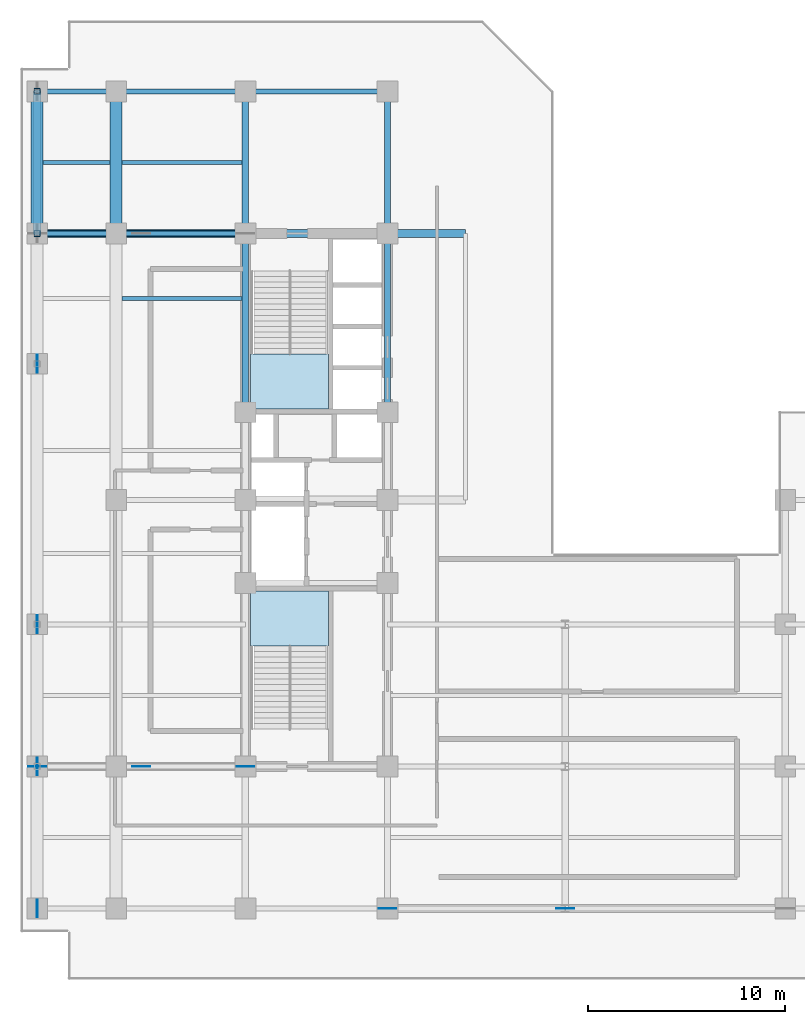
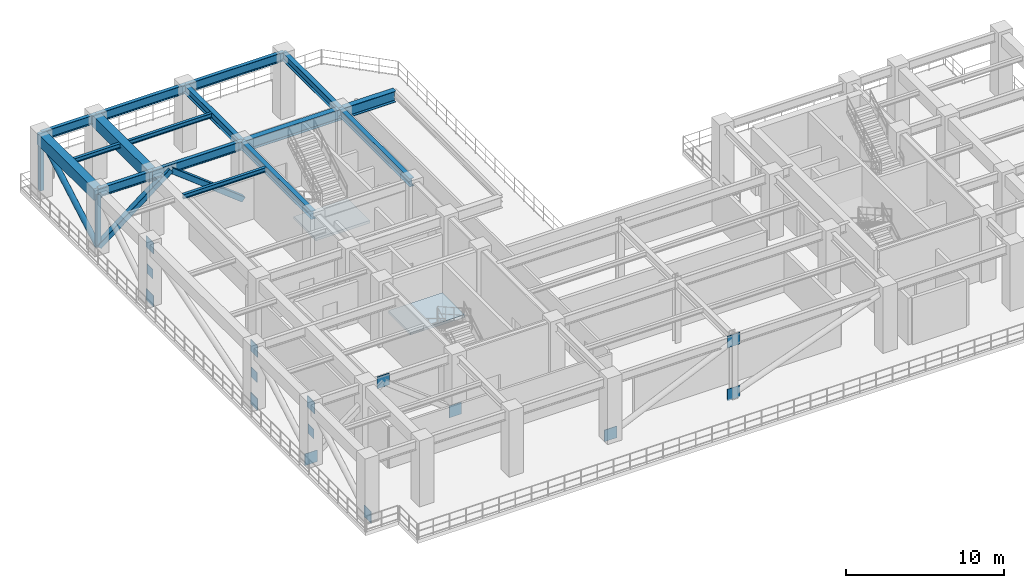
# One storey, part 4 of 16: 15 beams, 15 plates, 5 members, 2 slabs, 2 elements without a shape of their own.
"""IFC4 building model written with IfcOpenShell, lengths in metres."""

from ifc_helpers import new_model, entity, si_unit, converted_unit, direction, frame, origin_with_axes, origin_2d_with_axis, place, context, subcontext, project, spatial, polyline, rectangle, hollow_rectangle, hollow_circle, i_section, outline, extrude, material, layer, layer_set, material_profile, profile_set, type_object, element, aggregate, save


model = new_model("IFC4")

# Units and contexts
model_context = context("Model", 3, precision=1e-05, world=origin_with_axes(), true_north=direction((0.0, 1.0)))
body_context = subcontext(model_context, "Body", "Model", "MODEL_VIEW")
ifc_project = project(units=[si_unit("LENGTHUNIT", "METRE"), si_unit("AREAUNIT", "SQUARE_METRE"), si_unit("VOLUMEUNIT", "CUBIC_METRE"), converted_unit("PLANEANGLEUNIT", "DEGREE", entity("IfcPlaneAngleMeasure", 0.017453292519943295), si_unit("PLANEANGLEUNIT", "RADIAN"), dimensions=[0, 0, 0, 0, 0, 0, 0]), si_unit("MASSUNIT", "GRAM", prefix="KILO"), si_unit("THERMODYNAMICTEMPERATUREUNIT", "KELVIN")], contexts=[model_context])

# Site, building, storey
site_placement = place(None, origin_with_axes())
site = spatial("IfcSite", under=ifc_project, at=site_placement, CompositionType="ELEMENT")
building_placement = place(site_placement, origin_with_axes())
building = spatial("IfcBuilding", under=site, at=building_placement, Name="Varnlund Millrace Tower", CompositionType="ELEMENT")
storey_placement = place(building_placement, frame((0.0, 0.0, 187.5), z_axis=(0.0, 0.0, 1.0), x_axis=(1.0, 0.0, 0.0)))
storey = spatial("IfcBuildingStorey", under=building, at=storey_placement, Name="L46", CompositionType="ELEMENT", Elevation=187.5)

# Members
ifc_material_1 = material(Name="Steel ASTM A500 Grade C", Category="steel")
ifc_material_profile_1 = material_profile(ifc_material_1, hollow_circle(Radius=0.203, WallThickness=0.0147, at=origin_2d_with_axis()), Name="Steel ASTM A500 Grade C")
ifc_profile_set_1 = profile_set([ifc_material_profile_1], Name="Steel ASTM A500 Grade C")
member_type_1 = type_object("IfcMemberType", Name="Type-Belt-Brace-CHS406", PredefinedType="BRACE", material=ifc_profile_set_1)
member_placement = place(storey_placement, frame((0.85, 37.8, 0.35), z_axis=(0.0, 0.868985, 0.494839), x_axis=(-1.0, 0.0, 0.0)))
element("IfcMember", 1, at=member_placement, inside=storey, type_object=member_type_1, Name="Type-Belt-Brace-CHS406", PredefinedType="BRACE", context=body_context, shape_type="SweptSolid", body=[
    extrude(hollow_circle(Radius=0.203, WallThickness=0.0147, at=origin_2d_with_axis()), origin_with_axes(), (0.0, 0.0, 1.0), 8.28553),
])
ifc_material_profile_2 = material_profile(ifc_material_1, hollow_rectangle(XDim=0.305, YDim=0.305, WallThickness=0.0147, InnerFilletRadius=0.015, OuterFilletRadius=0.03, at=origin_2d_with_axis()), Name="Steel ASTM A500 Grade C")
ifc_profile_set_2 = profile_set([ifc_material_profile_2], Name="Steel ASTM A500 Grade C")
member_type_2 = type_object("IfcMemberType", Name="Type-Belt-Chord-HSS12", PredefinedType="CHORD", material=ifc_profile_set_2)
for number, where, z_axis, x_axis, name in (
    (2, (0.85, 37.8, 0.35), (0.0, 0.0, 1.0), (1.0, 0.0, 0.0), "Type-Belt-Chord-HSS12"),
    (3, (0.85, 45.0, 0.35), (0.0, 0.0, 1.0), (1.0, 0.0, 0.0), "Type-Belt-Chord-HSS12"),
):
    element("IfcMember", number, at=place(storey_placement, frame(where, z_axis=z_axis, x_axis=x_axis)), inside=storey, type_object=member_type_2, Name=name, PredefinedType="CHORD", context=body_context, shape_type="SweptSolid", body=[
        extrude(hollow_rectangle(XDim=0.305, YDim=0.305, WallThickness=0.0147, InnerFilletRadius=0.015, OuterFilletRadius=0.03, at=origin_2d_with_axis()), origin_with_axes(), (0.0, 0.0, 1.0), 4.1),
    ])

# Beams
ifc_material_2 = material(Name="Steel ASTM A992 Grade 50", Category="steel")
ifc_material_profile_3 = material_profile(ifc_material_2, i_section(OverallWidth=0.328, OverallDepth=0.628, WebThickness=0.0165, FlangeThickness=0.0277, FilletRadius=0.018, at=origin_2d_with_axis()), Name="Steel ASTM A992 Grade 50")
ifc_profile_set_3 = profile_set([ifc_material_profile_3], Name="Steel ASTM A992 Grade 50")
beam_type_1 = type_object("IfcBeamType", Name="Type-Girder-W24X146", PredefinedType="USERDEFINED", material=ifc_profile_set_3)
beam_1_placement = place(storey_placement, frame((11.4, 28.75, 4.546), z_axis=(0.0, 1.0, 0.0), x_axis=(-1.0, 0.0, 0.0)))
element("IfcBeam", 4, at=beam_1_placement, inside=storey, type_object=beam_type_1, Name="Type-Girder-W24X146", ObjectType="GIRDER", PredefinedType="USERDEFINED", context=body_context, shape_type="SweptSolid", body=[
    extrude(i_section(OverallWidth=0.328, OverallDepth=0.628, WebThickness=0.0165, FlangeThickness=0.0277, FilletRadius=0.018, at=origin_2d_with_axis()), origin_with_axes(), (0.0, 0.0, 1.0), 9.05),
])
beam_2_placement = place(storey_placement, frame((11.4, 37.8, 4.546), z_axis=(0.0, 1.0, 0.0), x_axis=(-1.0, 0.0, 0.0)))
element("IfcBeam", 5, at=beam_2_placement, inside=storey, type_object=beam_type_1, Name="Type-Girder-W24X146", ObjectType="GIRDER", PredefinedType="USERDEFINED", context=body_context, shape_type="SweptSolid", body=[
    extrude(i_section(OverallWidth=0.328, OverallDepth=0.628, WebThickness=0.0165, FlangeThickness=0.0277, FilletRadius=0.018, at=origin_2d_with_axis()), origin_with_axes(), (0.0, 0.0, 1.0), 7.2),
])
beam_3_placement = place(storey_placement, frame((18.6, 28.75, 4.546), z_axis=(0.0, 1.0, 0.0), x_axis=(-1.0, 0.0, 0.0)))
element("IfcBeam", 6, at=beam_3_placement, inside=storey, type_object=beam_type_1, Name="Type-Girder-W24X146", ObjectType="GIRDER", PredefinedType="USERDEFINED", context=body_context, shape_type="SweptSolid", body=[
    extrude(i_section(OverallWidth=0.328, OverallDepth=0.628, WebThickness=0.0165, FlangeThickness=0.0277, FilletRadius=0.018, at=origin_2d_with_axis()), origin_with_axes(), (0.0, 0.0, 1.0), 9.05),
])
beam_4_placement = place(storey_placement, frame((18.6, 37.8, 4.546), z_axis=(0.0, 1.0, 0.0), x_axis=(-1.0, 0.0, 0.0)))
element("IfcBeam", 7, at=beam_4_placement, inside=storey, type_object=beam_type_1, Name="Type-Girder-W24X146", ObjectType="GIRDER", PredefinedType="USERDEFINED", context=body_context, shape_type="SweptSolid", body=[
    extrude(i_section(OverallWidth=0.328, OverallDepth=0.628, WebThickness=0.0165, FlangeThickness=0.0277, FilletRadius=0.018, at=origin_2d_with_axis()), origin_with_axes(), (0.0, 0.0, 1.0), 7.2),
])
ifc_material_profile_4 = material_profile(ifc_material_2, i_section(OverallWidth=0.256, OverallDepth=0.693, WebThickness=0.0145, FlangeThickness=0.0236, FilletRadius=0.018, at=origin_2d_with_axis()), Name="Steel ASTM A992 Grade 50")
ifc_profile_set_4 = profile_set([ifc_material_profile_4], Name="Steel ASTM A992 Grade 50")
beam_type_2 = type_object("IfcBeamType", Name="Type-Girder-W27X114", PredefinedType="USERDEFINED", material=ifc_profile_set_4)
beam_5_placement = place(storey_placement, frame((0.85, 37.8, 4.5135), z_axis=(1.0, 0.0, 0.0), x_axis=(0.0, 1.0, 0.0)))
element("IfcBeam", 8, at=beam_5_placement, inside=storey, type_object=beam_type_2, Name="Type-Girder-W27X114", ObjectType="GIRDER", PredefinedType="USERDEFINED", context=body_context, shape_type="SweptSolid", body=[
    extrude(i_section(OverallWidth=0.256, OverallDepth=0.693, WebThickness=0.0145, FlangeThickness=0.0236, FilletRadius=0.018, at=origin_2d_with_axis()), origin_with_axes(), (0.0, 0.0, 1.0), 4.0),
])
beam_6_placement = place(storey_placement, frame((4.85, 37.8, 4.5135), z_axis=(1.0, 0.0, 0.0), x_axis=(0.0, 1.0, 0.0)))
element("IfcBeam", 9, at=beam_6_placement, inside=storey, type_object=beam_type_2, Name="Type-Girder-W27X114", ObjectType="GIRDER", PredefinedType="USERDEFINED", context=body_context, shape_type="SweptSolid", body=[
    extrude(i_section(OverallWidth=0.256, OverallDepth=0.693, WebThickness=0.0145, FlangeThickness=0.0236, FilletRadius=0.018, at=origin_2d_with_axis()), origin_with_axes(), (0.0, 0.0, 1.0), 6.55),
])
beam_7_placement = place(storey_placement, frame((0.85, 45.0, 4.5135), z_axis=(1.0, 0.0, 0.0), x_axis=(0.0, 1.0, 0.0)))
element("IfcBeam", 10, at=beam_7_placement, inside=storey, type_object=beam_type_2, Name="Type-Girder-W27X114", ObjectType="GIRDER", PredefinedType="USERDEFINED", context=body_context, shape_type="SweptSolid", body=[
    extrude(i_section(OverallWidth=0.256, OverallDepth=0.693, WebThickness=0.0145, FlangeThickness=0.0236, FilletRadius=0.018, at=origin_2d_with_axis()), origin_with_axes(), (0.0, 0.0, 1.0), 4.0),
])
beam_8_placement = place(storey_placement, frame((4.85, 45.0, 4.5135), z_axis=(1.0, 0.0, 0.0), x_axis=(0.0, 1.0, 0.0)))
element("IfcBeam", 11, at=beam_8_placement, inside=storey, type_object=beam_type_2, Name="Type-Girder-W27X114", ObjectType="GIRDER", PredefinedType="USERDEFINED", context=body_context, shape_type="SweptSolid", body=[
    extrude(i_section(OverallWidth=0.256, OverallDepth=0.693, WebThickness=0.0145, FlangeThickness=0.0236, FilletRadius=0.018, at=origin_2d_with_axis()), origin_with_axes(), (0.0, 0.0, 1.0), 6.55),
])
beam_9_placement = place(storey_placement, frame((11.4, 45.0, 4.5135), z_axis=(1.0, 0.0, 0.0), x_axis=(0.0, 1.0, 0.0)))
element("IfcBeam", 12, at=beam_9_placement, inside=storey, type_object=beam_type_2, Name="Type-Girder-W27X114", ObjectType="GIRDER", PredefinedType="USERDEFINED", context=body_context, shape_type="SweptSolid", body=[
    extrude(i_section(OverallWidth=0.256, OverallDepth=0.693, WebThickness=0.0145, FlangeThickness=0.0236, FilletRadius=0.018, at=origin_2d_with_axis()), origin_with_axes(), (0.0, 0.0, 1.0), 7.2),
])
ifc_material_profile_5 = material_profile(ifc_material_2, i_section(OverallWidth=0.399, OverallDepth=0.855, WebThickness=0.0182, FlangeThickness=0.0292, FilletRadius=0.022, at=origin_2d_with_axis()), Name="Steel ASTM A992 Grade 50")
ifc_profile_set_5 = profile_set([ifc_material_profile_5], Name="Steel ASTM A992 Grade 50")
beam_type_3 = type_object("IfcBeamType", Name="Type-Girder-W33X201", PredefinedType="USERDEFINED", material=ifc_profile_set_5)
beam_10_placement = place(storey_placement, frame((11.4, 37.8, 4.4325), z_axis=(1.0, 0.0, 0.0), x_axis=(0.0, 1.0, 0.0)))
element("IfcBeam", 13, at=beam_10_placement, inside=storey, type_object=beam_type_3, Name="Type-Girder-W33X201", ObjectType="GIRDER", PredefinedType="USERDEFINED", context=body_context, shape_type="SweptSolid", body=[
    extrude(i_section(OverallWidth=0.399, OverallDepth=0.855, WebThickness=0.0182, FlangeThickness=0.0292, FilletRadius=0.022, at=origin_2d_with_axis()), origin_with_axes(), (0.0, 0.0, 1.0), 11.15),
])
ifc_material_profile_6 = material_profile(ifc_material_2, i_section(OverallWidth=0.204, OverallDepth=0.35, WebThickness=0.0086, FlangeThickness=0.0151, FilletRadius=0.013, at=origin_2d_with_axis()), Name="Steel ASTM A992 Grade 50")
ifc_profile_set_6 = profile_set([ifc_material_profile_6], Name="Steel ASTM A992 Grade 50")
beam_type_4 = type_object("IfcBeamType", Name="Type-Joist-W14X48", PredefinedType="JOIST", material=ifc_profile_set_6)
beam_11_placement = place(storey_placement, frame((1.15, 41.4, 4.685), z_axis=(1.0, 0.0, 0.0), x_axis=(0.0, 1.0, 0.0)))
element("IfcBeam", 14, at=beam_11_placement, inside=storey, type_object=beam_type_4, Name="Type-Joist-W14X48", PredefinedType="JOIST", context=body_context, shape_type="SweptSolid", body=[
    extrude(i_section(OverallWidth=0.204, OverallDepth=0.35, WebThickness=0.0086, FlangeThickness=0.0151, FilletRadius=0.013, at=origin_2d_with_axis()), origin_with_axes(), (0.0, 0.0, 1.0), 3.4),
])
for number, where, z_axis, x_axis, name in (
    (15, (5.15, 34.5, 4.685), (1.0, 0.0, 0.0), (0.0, 1.0, 0.0), "Type-Joist-W14X48"),
    (16, (5.15, 41.4, 4.685), (1.0, 0.0, 0.0), (0.0, 1.0, 0.0), "Type-Joist-W14X48"),
):
    element("IfcBeam", number, at=place(storey_placement, frame(where, z_axis=z_axis, x_axis=x_axis)), inside=storey, type_object=beam_type_4, Name=name, PredefinedType="JOIST", context=body_context, shape_type="SweptSolid", body=[
        extrude(i_section(OverallWidth=0.204, OverallDepth=0.35, WebThickness=0.0086, FlangeThickness=0.0151, FilletRadius=0.013, at=origin_2d_with_axis()), origin_with_axes(), (0.0, 0.0, 1.0), 6.086),
    ])

# Members
ifc_material_profile_7 = material_profile(ifc_material_1, hollow_rectangle(XDim=0.406, YDim=0.406, WallThickness=0.0147, InnerFilletRadius=0.015, OuterFilletRadius=0.03, at=origin_2d_with_axis()), Name="Steel ASTM A500 Grade C")
ifc_profile_set_7 = profile_set([ifc_material_profile_7], Name="Steel ASTM A500 Grade C")
member_type_3 = type_object("IfcMemberType", Name="Type-Outrigger-Brace-HSS16", PredefinedType="BRACE", material=ifc_profile_set_7)
for number, where, z_axis, x_axis, name in (
    (17, (0.85, 37.8, 0.35), (0.789554, 0.0, 0.613682), (0.0, 1.0, 0.0), "Type-Outrigger-Brace-HSS16"),
    (18, (11.4, 37.8, 0.35), (-0.789554, 0.0, 0.613682), (0.0, -1.0, 0.0), "Type-Outrigger-Brace-HSS16"),
):
    element("IfcMember", number, at=place(storey_placement, frame(where, z_axis=z_axis, x_axis=x_axis)), inside=storey, type_object=member_type_3, Name=name, PredefinedType="BRACE", context=body_context, shape_type="SweptSolid", body=[
        extrude(hollow_rectangle(XDim=0.406, YDim=0.406, WallThickness=0.0147, InnerFilletRadius=0.015, OuterFilletRadius=0.03, at=origin_2d_with_axis()), origin_with_axes(), (0.0, 0.0, 1.0), 6.68099),
    ])

# Beams
ifc_material_3 = material(Name="Concrete C70/85", Category="concrete")
ifc_material_profile_8 = material_profile(ifc_material_3, rectangle(XDim=0.6, YDim=0.9, at=origin_2d_with_axis()), Name="Concrete C70/85")
ifc_profile_set_8 = profile_set([ifc_material_profile_8], Name="Concrete C70/85")
beam_type_5 = type_object("IfcBeamType", Name="Type-Spandrel-RC600X900", PredefinedType="SPANDREL", material=ifc_profile_set_8)
for number, where, z_axis, x_axis, name in (
    (19, (0.85, 37.8, 4.41), (0.0, 1.0, 0.0), (-1.0, 0.0, 0.0), "Type-Spandrel-RC600X900"),
    (20, (4.85, 37.8, 4.41), (0.0, 1.0, 0.0), (-1.0, 0.0, 0.0), "Type-Spandrel-RC600X900"),
):
    element("IfcBeam", number, at=place(storey_placement, frame(where, z_axis=z_axis, x_axis=x_axis)), inside=storey, type_object=beam_type_5, Name=name, PredefinedType="SPANDREL", context=body_context, shape_type="SweptSolid", body=[
        extrude(rectangle(XDim=0.6, YDim=0.9, at=origin_2d_with_axis()), origin_with_axes(), (0.0, 0.0, 1.0), 7.2),
    ])

# Plates
ifc_material_4 = material(Name="Steel ASTM A572 Grade 50", Category="steel")
ifc_layer_1 = layer(ifc_material_4, 0.04, Name="Steel ASTM A572 Grade 50")
ifc_layer_set_1 = layer_set([ifc_layer_1], Name="Steel ASTM A572 Grade 50")
plate_type_1 = type_object("IfcPlateType", Name="Type-Gusset-Plate-900X900X40", PredefinedType="SHEET", material=ifc_layer_set_1)
for number, where, z_axis, x_axis, name in (
    (21, (0.85, 3.6, -0.1), (0.0, 0.0, 1.0), (0.0, 1.0, 0.0), "Type-Gusset-Plate-900X900X40"),
    (22, (0.85, 10.8, -0.1), (0.0, 0.0, 1.0), (1.0, 0.0, 0.0), "Type-Gusset-Plate-900X900X40"),
    (23, (0.85, 10.8, 4.0), (0.0, 0.0, 1.0), (0.0, 1.0, 0.0), "Type-Gusset-Plate-900X900X40"),
    (24, (0.85, 18.0, -0.1), (0.0, 0.0, 1.0), (0.0, 1.0, 0.0), "Type-Gusset-Plate-900X900X40"),
    (25, (0.85, 18.0, 4.0), (0.0, 0.0, 1.0), (0.0, 1.0, 0.0), "Type-Gusset-Plate-900X900X40"),
    (26, (0.85, 31.2, -0.1), (0.0, 0.0, 1.0), (0.0, 1.0, 0.0), "Type-Gusset-Plate-900X900X40"),
    (27, (0.85, 31.2, 4.0), (0.0, 0.0, 1.0), (0.0, 1.0, 0.0), "Type-Gusset-Plate-900X900X40"),
    (28, (6.125, 10.8, 4.0), (0.0, 0.0, 1.0), (1.0, 0.0, 0.0), "Type-Gusset-Plate-900X900X40"),
    (29, (11.4, 10.8, -0.1), (0.0, 0.0, 1.0), (1.0, 0.0, 0.0), "Type-Gusset-Plate-900X900X40"),
    (30, (18.6, 3.6, -0.1), (0.0, 0.0, 1.0), (1.0, 0.0, 0.0), "Type-Gusset-Plate-900X900X40"),
    (31, (27.6, 3.6, -0.1), (0.0, 0.0, 1.0), (1.0, 0.0, 0.0), "Type-Gusset-Plate-900X900X40"),
    (32, (27.6, 3.6, 4.0), (0.0, 0.0, 1.0), (1.0, 0.0, 0.0), "Type-Gusset-Plate-900X900X40"),
):
    element("IfcPlate", number, at=place(storey_placement, frame(where, z_axis=z_axis, x_axis=x_axis)), inside=storey, type_object=plate_type_1, Name=name, PredefinedType="SHEET", context=body_context, shape_type="SweptSolid", body=[
        extrude(rectangle(XDim=0.9, YDim=0.04, at=origin_2d_with_axis()), origin_with_axes(), (0.0, 0.0, 1.0), 0.9),
    ])

# Stair, slab
ifc_material_5 = material(Name="Concrete C50/60", Category="concrete")
stair_type = type_object("IfcStairType", Name="Type-Stair-Dogleg-185-510", PredefinedType="HALF_TURN_STAIR", material=ifc_material_5)
stair_1_placement = place(storey_placement, origin_with_axes())
stair_1 = element("IfcStair", 33, at=stair_1_placement, inside=storey, type_object=stair_type, Name="Type-Stair-Dogleg-185-510", PredefinedType="HALF_TURN_STAIR")
ifc_layer_2 = layer(ifc_material_5, 0.2, Name="Concrete C50/60")
ifc_layer_set_2 = layer_set([ifc_layer_2], Name="Concrete C50/60")
slab_type = type_object("IfcSlabType", Name="Type-StairLanding-200", PredefinedType="LANDING", material=ifc_layer_set_2)
slab_1_placement = place(storey_placement, frame((0.0, 0.0, 2.35), z_axis=(0.0, 0.0, 1.0), x_axis=(1.0, 0.0, 0.0)))
slab_1 = element("IfcSlab", 34, at=slab_1_placement, type_object=slab_type, Name="ST-A1 landing 1", PredefinedType="LANDING", context=body_context, shape_type="SweptSolid", body=[
    extrude(outline(polyline([(15.6, 16.9), (15.6, 19.7), (11.65, 19.7), (11.65, 16.9), (15.6, 16.9)])), origin_with_axes(), (0.0, 0.0, 1.0), 0.2),
])
aggregate(stair_1, [slab_1])

stair_2_placement = place(storey_placement, origin_with_axes())
stair_2 = element("IfcStair", 35, at=stair_2_placement, inside=storey, type_object=stair_type, Name="Type-Stair-Dogleg-185-510", PredefinedType="HALF_TURN_STAIR")
slab_2_placement = place(storey_placement, frame((0.0, 0.0, 2.35), z_axis=(0.0, 0.0, 1.0), x_axis=(1.0, 0.0, 0.0)))
slab_2 = element("IfcSlab", 36, at=slab_2_placement, type_object=slab_type, Name="ST-A2 landing 1", PredefinedType="LANDING", context=body_context, shape_type="SweptSolid", body=[
    extrude(outline(polyline([(11.65, 31.7), (11.65, 28.9), (15.6, 28.9), (15.6, 31.7), (11.65, 31.7)])), origin_with_axes(), (0.0, 0.0, 1.0), 0.2),
])
aggregate(stair_2, [slab_2])

# Plates
ifc_layer_3 = layer(ifc_material_4, 0.032, Name="Steel ASTM A572 Grade 50")
ifc_layer_set_3 = layer_set([ifc_layer_3], Name="Steel ASTM A572 Grade 50")
plate_type_2 = type_object("IfcPlateType", Name="Type-Stiffener-Plate-750X750X32", PredefinedType="USERDEFINED", material=ifc_layer_set_3)
for number, where, z_axis, x_axis, name in (
    (37, (0.85, 10.8, 2.025), (0.0, 0.0, 1.0), (0.0, 1.0, 0.0), "Type-Stiffener-Plate-750X750X32"),
    (38, (0.85, 18.0, 2.025), (0.0, 0.0, 1.0), (0.0, 1.0, 0.0), "Type-Stiffener-Plate-750X750X32"),
    (39, (0.85, 31.2, 2.025), (0.0, 0.0, 1.0), (0.0, 1.0, 0.0), "Type-Stiffener-Plate-750X750X32"),
):
    element("IfcPlate", number, at=place(storey_placement, frame(where, z_axis=z_axis, x_axis=x_axis)), inside=storey, type_object=plate_type_2, Name=name, ObjectType="STIFFENER PLATE", PredefinedType="USERDEFINED", context=body_context, shape_type="SweptSolid", body=[
        extrude(rectangle(XDim=0.75, YDim=0.032, at=origin_2d_with_axis()), origin_with_axes(), (0.0, 0.0, 1.0), 0.75),
    ])

save(model, "model.ifc")
